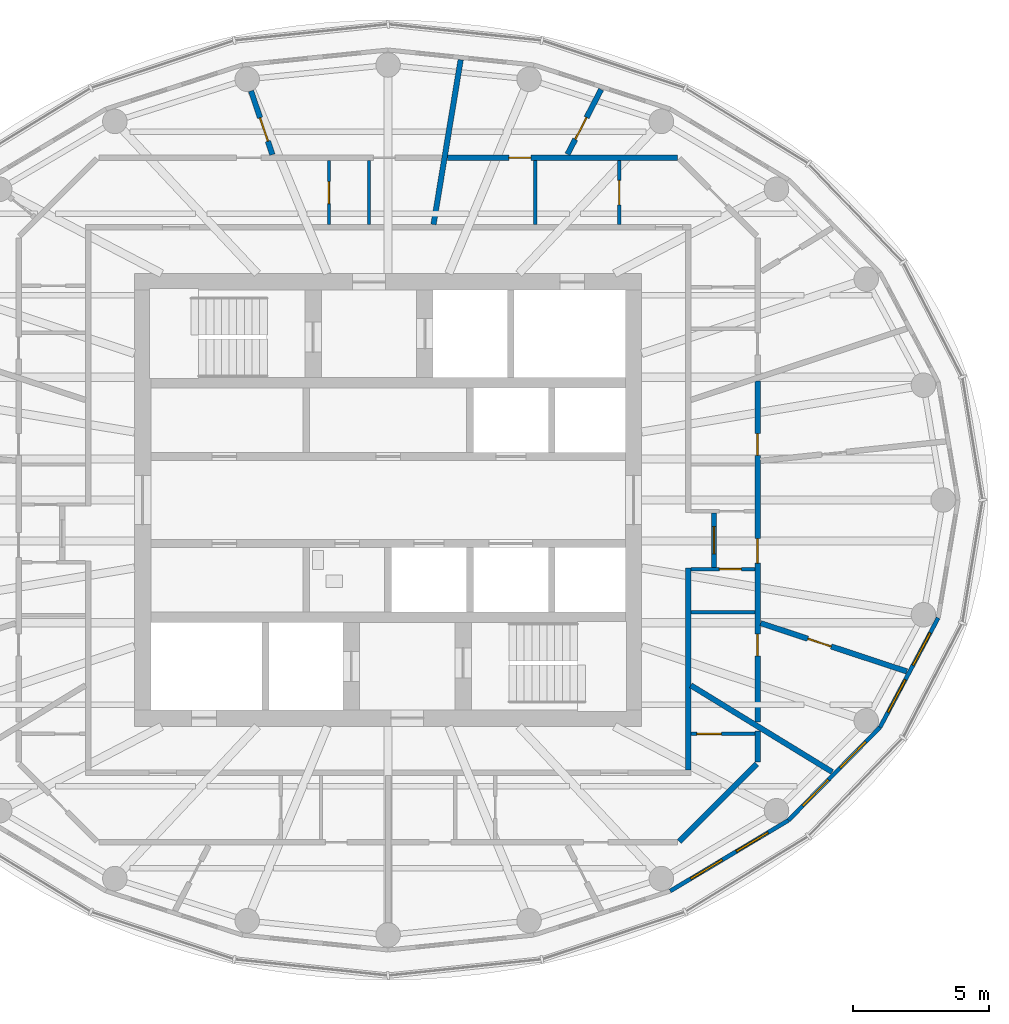
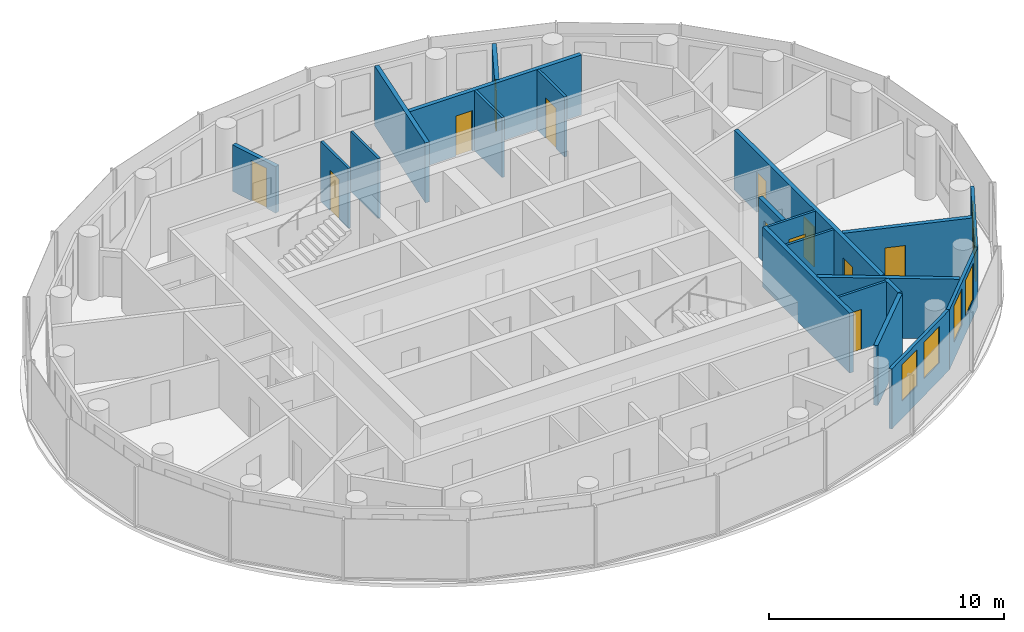
# One storey, part 8 of 12: 21 walls, 12 doors, 6 windows, 18 openings.
"""IFC4 building model written with IfcOpenShell, lengths in metres."""

from ifc_helpers import new_model, si_unit, direction, frame, frame_2d, origin, place, context, subcontext, project, spatial, rectangle, extrude, material, layer, layer_set, type_object, element, fill, save


model = new_model("IFC4")

# Units and contexts
model_context = context("Model", 3, precision=1e-05, world=origin(), true_north=direction((0.0, 1.0)))
body_context = subcontext(model_context, "Body", "Model", "MODEL_VIEW")
ifc_project = project(units=[si_unit("LENGTHUNIT", "METRE"), si_unit("AREAUNIT", "SQUARE_METRE"), si_unit("VOLUMEUNIT", "CUBIC_METRE"), si_unit("PLANEANGLEUNIT", "RADIAN"), si_unit("MASSUNIT", "GRAM", prefix="KILO")], contexts=[model_context])

# Site, building, storey
site_placement = place(None, origin())
site = spatial("IfcSite", under=ifc_project, at=site_placement, CompositionType="ELEMENT")
building_placement = place(site_placement, origin())
building = spatial("IfcBuilding", under=site, at=building_placement, Name="Hankou Lantern Tower", CompositionType="ELEMENT")
storey_placement = place(building_placement, frame((0.0, 0.0, 216.0)))
storey = spatial("IfcBuildingStorey", under=building, at=storey_placement, Name="L58", CompositionType="ELEMENT", Elevation=216.0)

# Wall, openings, windows
ifc_material_1 = material(Name="Aluminium spandrel panel on steel studs", Category="steel")
ifc_layer_1 = layer(ifc_material_1, 0.14990234375)
ifc_layer_set_1 = layer_set([ifc_layer_1], Name="Aluminium spandrel panel on steel studs")
wall_type_1 = type_object("IfcWallType", Name="EW1 INNER SKIN WALL 150", PredefinedType="ELEMENTEDWALL", material=ifc_layer_set_1)
wall_1_placement = place(storey_placement, frame((10.346435546875, -14.33642578125, 0.0), z_axis=(0.0, 0.0, 1.0), x_axis=(0.85822150553, 0.513279502265, 0.0)))
wall_1 = element("IfcWall", 1, at=wall_1_placement, inside=storey, type_object=wall_type_1, Name="Inner skin R21-R22 L58", PredefinedType="ELEMENTEDWALL", context=body_context, shape_type="SweptSolid", body=[
    extrude(rectangle(XDim=5.050048828125, YDim=0.14990234375, at=frame_2d((2.52490234375, 0.0))), origin(), (0.0, 0.0, 1.0), 3.1201171875),
])
opening_1_placement = place(wall_1_placement, frame((0.875, 0.0, 0.89990234375)))
opening_1 = element("IfcOpeningElement", 2, at=opening_1_placement, cuts=wall_1, Name="Opening W4", PredefinedType="OPENING", context=body_context, shape_type="SweptSolid", body=[
    extrude(rectangle(XDim=1.35009765625, YDim=1.89990234375, at=frame_2d((0.675048828125, 0.949951171875))), frame((0.0, 0.0849609375, 0.0), z_axis=(0.0, -1.0, 0.0), x_axis=(1.0, 0.0, 0.0)), (0.0, 0.0, 1.0), 0.169921875),
])
opening_2_placement = place(wall_1_placement, frame((2.824951171875, 0.0, 0.89990234375)))
opening_2 = element("IfcOpeningElement", 3, at=opening_2_placement, cuts=wall_1, Name="Opening W4", PredefinedType="OPENING", context=body_context, shape_type="SweptSolid", body=[
    extrude(rectangle(XDim=1.35009765625, YDim=1.89990234375, at=frame_2d((0.675048828125, 0.949951171875))), frame((0.0, 0.0849609375, 0.0), z_axis=(0.0, -1.0, 0.0), x_axis=(1.0, 0.0, 0.0)), (0.0, 0.0, 1.0), 0.169921875),
])
ifc_material_2 = material(Name="Aluminium framed double glazed window", Category="aluminium")
window_type = type_object("IfcWindowType", Name="W4 SUITE WINDOW 1350X1900", PartitioningType="DOUBLE_PANEL_VERTICAL", PredefinedType="WINDOW", material=ifc_material_2)
window_1_placement = place(opening_1_placement, origin())
window_1 = element("IfcWindow", 4, at=window_1_placement, inside=storey, type_object=window_type, Name="Window R21.1 L58", OverallHeight=1.89990234375, OverallWidth=1.35009765625, PartitioningType="SINGLE_PANEL", PredefinedType="WINDOW", context=body_context, shape_type="SweptSolid", body=[
    extrude(rectangle(XDim=1.35009765625, YDim=1.89990234375, at=frame_2d((0.675048828125, 0.949951171875))), frame((0.0, 0.030029296875, 0.0), z_axis=(0.0, -1.0, 0.0), x_axis=(1.0, 0.0, 0.0)), (0.0, 0.0, 1.0), 0.06005859375),
])
fill(opening_1, window_1)
window_2_placement = place(opening_2_placement, origin())
window_2 = element("IfcWindow", 5, at=window_2_placement, inside=storey, type_object=window_type, Name="Window R21.2 L58", OverallHeight=1.89990234375, OverallWidth=1.35009765625, PartitioningType="SINGLE_PANEL", PredefinedType="WINDOW", context=body_context, shape_type="SweptSolid", body=[
    extrude(rectangle(XDim=1.35009765625, YDim=1.89990234375, at=frame_2d((0.675048828125, 0.949951171875))), frame((0.0, 0.030029296875, 0.0), z_axis=(0.0, -1.0, 0.0), x_axis=(1.0, 0.0, 0.0)), (0.0, 0.0, 1.0), 0.06005859375),
])
fill(opening_2, window_2)

wall_2_placement = place(storey_placement, frame((14.680419921875, -11.744384765625, 0.0), z_axis=(0.0, 0.0, 1.0), x_axis=(0.701527379618, 0.712642501993, 0.0)))
wall_2 = element("IfcWall", 6, at=wall_2_placement, inside=storey, type_object=wall_type_1, Name="Inner skin R22-R23 L58", PredefinedType="ELEMENTEDWALL", context=body_context, shape_type="SweptSolid", body=[
    extrude(rectangle(XDim=4.788330078125, YDim=0.14990234375, at=frame_2d((2.39404296875, 0.0))), origin(), (0.0, 0.0, 1.0), 3.1201171875),
])
opening_3_placement = place(wall_2_placement, frame((0.744140625, 0.0, 0.89990234375)))
opening_3 = element("IfcOpeningElement", 7, at=opening_3_placement, cuts=wall_2, Name="Opening W4", PredefinedType="OPENING", context=body_context, shape_type="SweptSolid", body=[
    extrude(rectangle(XDim=1.35009765625, YDim=1.89990234375, at=frame_2d((0.675048828125, 0.949951171875))), frame((0.0, 0.0849609375, 0.0), z_axis=(0.0, -1.0, 0.0), x_axis=(1.0, 0.0, 0.0)), (0.0, 0.0, 1.0), 0.169921875),
])
opening_4_placement = place(wall_2_placement, frame((2.694091796875, 0.0, 0.89990234375)))
opening_4 = element("IfcOpeningElement", 8, at=opening_4_placement, cuts=wall_2, Name="Opening W4", PredefinedType="OPENING", context=body_context, shape_type="SweptSolid", body=[
    extrude(rectangle(XDim=1.35009765625, YDim=1.89990234375, at=frame_2d((0.675048828125, 0.949951171875))), frame((0.0, 0.0849609375, 0.0), z_axis=(0.0, -1.0, 0.0), x_axis=(1.0, 0.0, 0.0)), (0.0, 0.0, 1.0), 0.169921875),
])
window_3_placement = place(opening_3_placement, origin())
window_3 = element("IfcWindow", 9, at=window_3_placement, inside=storey, type_object=window_type, Name="Window R22.1 L58", OverallHeight=1.89990234375, OverallWidth=1.35009765625, PartitioningType="SINGLE_PANEL", PredefinedType="WINDOW", context=body_context, shape_type="SweptSolid", body=[
    extrude(rectangle(XDim=1.35009765625, YDim=1.89990234375, at=frame_2d((0.675048828125, 0.949951171875))), frame((0.0, 0.030029296875, 0.0), z_axis=(0.0, -1.0, 0.0), x_axis=(1.0, 0.0, 0.0)), (0.0, 0.0, 1.0), 0.06005859375),
])
fill(opening_3, window_3)
window_4_placement = place(opening_4_placement, origin())
window_4 = element("IfcWindow", 10, at=window_4_placement, inside=storey, type_object=window_type, Name="Window R22.2 L58", OverallHeight=1.89990234375, OverallWidth=1.35009765625, PartitioningType="SINGLE_PANEL", PredefinedType="WINDOW", context=body_context, shape_type="SweptSolid", body=[
    extrude(rectangle(XDim=1.35009765625, YDim=1.89990234375, at=frame_2d((0.675048828125, 0.949951171875))), frame((0.0, 0.030029296875, 0.0), z_axis=(0.0, -1.0, 0.0), x_axis=(1.0, 0.0, 0.0)), (0.0, 0.0, 1.0), 0.06005859375),
])
fill(opening_4, window_4)

wall_3_placement = place(storey_placement, frame((18.03955078125, -8.33203125, 0.0), z_axis=(0.0, 0.0, 1.0), x_axis=(0.469256152955, 0.883062094597, 0.0)))
wall_3 = element("IfcWall", 11, at=wall_3_placement, inside=storey, type_object=wall_type_1, Name="Inner skin R23-R24 L58", PredefinedType="ELEMENTEDWALL", context=body_context, shape_type="SweptSolid", body=[
    extrude(rectangle(XDim=4.539306640625, YDim=0.14990234375, at=frame_2d((2.26953125, 0.0))), origin(), (0.0, 0.0, 1.0), 3.1201171875),
])
opening_5_placement = place(wall_3_placement, frame((0.61962890625, 0.0, 0.89990234375)))
opening_5 = element("IfcOpeningElement", 12, at=opening_5_placement, cuts=wall_3, Name="Opening W4", PredefinedType="OPENING", context=body_context, shape_type="SweptSolid", body=[
    extrude(rectangle(XDim=1.35009765625, YDim=1.89990234375, at=frame_2d((0.675048828125, 0.949951171875))), frame((0.0, 0.0849609375, 0.0), z_axis=(0.0, -1.0, 0.0), x_axis=(1.0, 0.0, 0.0)), (0.0, 0.0, 1.0), 0.169921875),
])
opening_6_placement = place(wall_3_placement, frame((2.569580078125, 0.0, 0.89990234375)))
opening_6 = element("IfcOpeningElement", 13, at=opening_6_placement, cuts=wall_3, Name="Opening W4", PredefinedType="OPENING", context=body_context, shape_type="SweptSolid", body=[
    extrude(rectangle(XDim=1.35009765625, YDim=1.89990234375, at=frame_2d((0.675048828125, 0.949951171875))), frame((0.0, 0.0849609375, 0.0), z_axis=(0.0, -1.0, 0.0), x_axis=(1.0, 0.0, 0.0)), (0.0, 0.0, 1.0), 0.169921875),
])
window_5_placement = place(opening_5_placement, origin())
window_5 = element("IfcWindow", 14, at=window_5_placement, inside=storey, type_object=window_type, Name="Window R23.1 L58", OverallHeight=1.89990234375, OverallWidth=1.35009765625, PartitioningType="SINGLE_PANEL", PredefinedType="WINDOW", context=body_context, shape_type="SweptSolid", body=[
    extrude(rectangle(XDim=1.35009765625, YDim=1.89990234375, at=frame_2d((0.675048828125, 0.949951171875))), frame((0.0, 0.030029296875, 0.0), z_axis=(0.0, -1.0, 0.0), x_axis=(1.0, 0.0, 0.0)), (0.0, 0.0, 1.0), 0.06005859375),
])
fill(opening_5, window_5)
window_6_placement = place(opening_6_placement, origin())
window_6 = element("IfcWindow", 15, at=window_6_placement, inside=storey, type_object=window_type, Name="Window R23.2 L58", OverallHeight=1.89990234375, OverallWidth=1.35009765625, PartitioningType="SINGLE_PANEL", PredefinedType="WINDOW", context=body_context, shape_type="SweptSolid", body=[
    extrude(rectangle(XDim=1.35009765625, YDim=1.89990234375, at=frame_2d((0.675048828125, 0.949951171875))), frame((0.0, 0.030029296875, 0.0), z_axis=(0.0, -1.0, 0.0), x_axis=(1.0, 0.0, 0.0)), (0.0, 0.0, 1.0), 0.06005859375),
])
fill(opening_6, window_6)

# Walls
ifc_material_3 = material(Name="Masonry lightweight concrete block", Category="masonry")
ifc_layer_2 = layer(ifc_material_3, 0.199951171875)
ifc_layer_set_2 = layer_set([ifc_layer_2], Name="Masonry lightweight concrete block")
wall_type_2 = type_object("IfcWallType", Name="IW1 GUEST ROOM PARTY WALL 200", PredefinedType="PARTITIONING", material=ifc_layer_set_2)
wall_4_placement = place(storey_placement, frame((1.665771484375, 10.10009765625, 0.0), z_axis=(0.0, 0.0, 1.0), x_axis=(0.162710847913, 0.986673796131, 0.0)))
element("IfcWall", 16, at=wall_4_placement, inside=storey, type_object=wall_type_2, Name="Party wall R06-R07", PredefinedType="PARTITIONING", context=body_context, shape_type="SweptSolid", body=[
    extrude(rectangle(XDim=6.121826171875, YDim=0.199951171875, at=frame_2d((3.06103515625, 0.0))), origin(), (0.0, 0.0, 1.0), 3.1201171875),
])
wall_5_placement = place(storey_placement, frame((11.10009765625, -6.79736328125, 0.0), z_axis=(0.0, 0.0, 1.0), x_axis=(0.852799818179, -0.522237943963, 0.0)))
element("IfcWall", 17, at=wall_5_placement, inside=storey, type_object=wall_type_2, Name="Party wall R22-R23", PredefinedType="PARTITIONING", context=body_context, shape_type="SweptSolid", body=[
    extrude(rectangle(XDim=6.076904296875, YDim=0.199951171875, at=frame_2d((3.03857421875, 0.0))), origin(), (0.0, 0.0, 1.0), 3.1201171875),
])
ifc_material_4 = material(Name="Masonry lightweight concrete block", Category="masonry")
ifc_layer_3 = layer(ifc_material_4, 0.199951171875)
ifc_layer_set_3 = layer_set([ifc_layer_3], Name="Masonry lightweight concrete block")
wall_type_3 = type_object("IfcWallType", Name="IW2 CORRIDOR WALL 200", PredefinedType="PARTITIONING", material=ifc_layer_set_3)
wall_6_placement = place(storey_placement, frame((11.0, -9.89990234375, 0.0), z_axis=(0.0, 0.0, 1.0), x_axis=(0.0, 1.0, 0.0)))
element("IfcWall", 18, at=wall_6_placement, inside=storey, type_object=wall_type_3, Name="Corridor wall east", PredefinedType="PARTITIONING", context=body_context, shape_type="SweptSolid", body=[
    extrude(rectangle(XDim=7.41552734375, YDim=0.199951171875, at=frame_2d((3.707763671875, 0.0))), origin(), (0.0, 0.0, 1.0), 3.1201171875),
])

# Wall, opening, door
wall_7_placement = place(storey_placement, frame((11.949951171875, -2.474365234375, 0.0), z_axis=(0.0, 0.0, 1.0), x_axis=(0.0, 1.0, 0.0)))
wall_7 = element("IfcWall", 19, at=wall_7_placement, inside=storey, type_object=wall_type_3, Name="Suite entrance recess wall 5806", PredefinedType="PARTITIONING", context=body_context, shape_type="SweptSolid", body=[
    extrude(rectangle(XDim=2.0, YDim=0.199951171875, at=frame_2d((1.0, 0.0))), origin(), (0.0, 0.0, 1.0), 3.1201171875),
])
opening_7_placement = place(wall_7_placement, frame((0.5, 0.0, 0.0)))
opening_7 = element("IfcOpeningElement", 20, at=opening_7_placement, cuts=wall_7, Name="Opening D2", PredefinedType="OPENING", context=body_context, shape_type="SweptSolid", body=[
    extrude(rectangle(XDim=1.0, YDim=2.199951171875, at=frame_2d((0.5, 1.10009765625))), frame((0.0, 0.10986328125, 0.0), z_axis=(0.0, -1.0, 0.0), x_axis=(1.0, 0.0, 0.0)), (0.0, 0.0, 1.0), 0.219970703125),
])
ifc_material_5 = material(Name="Steel door leaf", Category="steel")
door_type_1 = type_object("IfcDoorType", Name="D2 SUITE DOOR 1000X2200", OperationType="SINGLE_SWING_LEFT", PredefinedType="DOOR", material=ifc_material_5)
door_1_placement = place(opening_7_placement, origin())
door_1 = element("IfcDoor", 21, at=door_1_placement, inside=storey, type_object=door_type_1, Name="Suite door 5806", OperationType="SINGLE_SWING_RIGHT", OverallHeight=2.199951171875, OverallWidth=1.0, PredefinedType="DOOR", context=body_context, shape_type="SweptSolid", body=[
    extrude(rectangle(XDim=1.0, YDim=2.199951171875, at=frame_2d((0.5, 1.10009765625))), frame((0.0, 0.02490234375, 0.0), z_axis=(0.0, -1.0, 0.0), x_axis=(1.0, 0.0, 0.0)), (0.0, 0.0, 1.0), 0.050048828125),
])
fill(opening_7, door_1)

ifc_material_6 = material(Name="Masonry lightweight concrete block", Category="masonry")
ifc_layer_4 = layer(ifc_material_6, 0.1201171875)
ifc_layer_set_4 = layer_set([ifc_layer_4], Name="Masonry lightweight concrete block")
wall_type_4 = type_object("IfcWallType", Name="IW3 BATHROOM WALL 120", PredefinedType="PARTITIONING", material=ifc_layer_set_4)
wall_8_placement = place(storey_placement, frame((8.474853515625, 10.10009765625, 0.0), z_axis=(0.0, 0.0, 1.0), x_axis=(0.0, 1.0, 0.0)))
wall_8 = element("IfcWall", 22, at=wall_8_placement, inside=storey, type_object=wall_type_4, Name="Box wall 5801 3", PredefinedType="PARTITIONING", context=body_context, shape_type="SweptSolid", body=[
    extrude(rectangle(XDim=2.349853515625, YDim=0.1201171875, at=frame_2d((1.1748046875, 0.0))), origin(), (0.0, 0.0, 1.0), 3.1201171875),
])
opening_8_placement = place(wall_8_placement, frame((0.719970703125, 0.0, 0.0)))
opening_8 = element("IfcOpeningElement", 23, at=opening_8_placement, cuts=wall_8, Name="Opening D27", PredefinedType="OPENING", context=body_context, shape_type="SweptSolid", body=[
    extrude(rectangle(XDim=0.89990234375, YDim=2.10009765625, at=frame_2d((0.449951171875, 1.050048828125))), frame((0.0, 0.070068359375, 0.0), z_axis=(0.0, -1.0, 0.0), x_axis=(1.0, 0.0, 0.0)), (0.0, 0.0, 1.0), 0.14013671875),
])
ifc_material_7 = material(Name="Timber door leaf", Category="wood")
door_type_2 = type_object("IfcDoorType", Name="D27 INTERNAL DOOR 900X2100", OperationType="SINGLE_SWING_LEFT", PredefinedType="DOOR", material=ifc_material_7)
door_2_placement = place(opening_8_placement, origin())
door_2 = element("IfcDoor", 24, at=door_2_placement, inside=storey, type_object=door_type_2, Name="Family suite 5801 walk-in wardrobe door", OperationType="SINGLE_SWING_LEFT", OverallHeight=2.10009765625, OverallWidth=0.89990234375, PredefinedType="DOOR", context=body_context, shape_type="SweptSolid", body=[
    extrude(rectangle(XDim=0.89990234375, YDim=2.10009765625, at=frame_2d((0.449951171875, 1.050048828125))), frame((0.0, 0.02490234375, 0.0), z_axis=(0.0, -1.0, 0.0), x_axis=(1.0, 0.0, 0.0)), (0.0, 0.0, 1.0), 0.050048828125),
])
fill(opening_8, door_2)

# Walls
for number, where, z_axis, x_axis, name in (
    (25, (5.392822265625, 10.10009765625, 0.0), (0.0, 0.0, 1.0), (0.0, 1.0, 0.0), "Box wall 5801 4"),
    (26, (-0.700439453125, 10.10009765625, 0.0), (0.0, 0.0, 1.0), (0.0, 1.0, 0.0), "Box wall 5802 1"),
):
    element("IfcWall", number, at=place(storey_placement, frame(where, z_axis=z_axis, x_axis=x_axis)), inside=storey, type_object=wall_type_4, Name=name, PredefinedType="PARTITIONING", context=body_context, shape_type="SweptSolid", body=[
        extrude(rectangle(XDim=2.349853515625, YDim=0.1201171875, at=frame_2d((1.1748046875, 0.0))), origin(), (0.0, 0.0, 1.0), 3.1201171875),
    ])

# Wall, opening, door
wall_9_placement = place(storey_placement, frame((-2.17041015625, 10.10009765625, 0.0), z_axis=(0.0, 0.0, 1.0), x_axis=(0.0, 1.0, 0.0)))
wall_9 = element("IfcWall", 27, at=wall_9_placement, inside=storey, type_object=wall_type_4, Name="Box wall 5802 2", PredefinedType="PARTITIONING", context=body_context, shape_type="SweptSolid", body=[
    extrude(rectangle(XDim=2.349853515625, YDim=0.1201171875, at=frame_2d((1.1748046875, 0.0))), origin(), (0.0, 0.0, 1.0), 3.1201171875),
])
opening_9_placement = place(wall_9_placement, frame((0.77001953125, 0.0, 0.0)))
opening_9 = element("IfcOpeningElement", 28, at=opening_9_placement, cuts=wall_9, Name="Opening D3", PredefinedType="OPENING", context=body_context, shape_type="SweptSolid", body=[
    extrude(rectangle(XDim=0.800048828125, YDim=2.10009765625, at=frame_2d((0.39990234375, 1.050048828125))), frame((0.0, 0.070068359375, 0.0), z_axis=(0.0, -1.0, 0.0), x_axis=(1.0, 0.0, 0.0)), (0.0, 0.0, 1.0), 0.14013671875),
])
ifc_material_8 = material(Name="Timber door leaf", Category="wood")
door_type_3 = type_object("IfcDoorType", Name="D3 BATHROOM DOOR 800X2100", OperationType="SINGLE_SWING_LEFT", PredefinedType="DOOR", material=ifc_material_8)
door_3_placement = place(opening_9_placement, origin())
door_3 = element("IfcDoor", 29, at=door_3_placement, inside=storey, type_object=door_type_3, Name="Family suite 5802 guest WC door", OperationType="SINGLE_SWING_LEFT", OverallHeight=2.10009765625, OverallWidth=0.800048828125, PredefinedType="DOOR", context=body_context, shape_type="SweptSolid", body=[
    extrude(rectangle(XDim=0.800048828125, YDim=2.10009765625, at=frame_2d((0.39990234375, 1.050048828125))), frame((0.0, 0.02490234375, 0.0), z_axis=(0.0, -1.0, 0.0), x_axis=(1.0, 0.0, 0.0)), (0.0, 0.0, 1.0), 0.050048828125),
])
fill(opening_9, door_3)

wall_10_placement = place(storey_placement, frame((11.10009765625, -8.57568359375, 0.0), z_axis=(0.0, 0.0, 1.0), x_axis=(1.0, 0.0, 0.0)))
wall_10 = element("IfcWall", 30, at=wall_10_placement, inside=storey, type_object=wall_type_4, Name="Box wall 5805 3", PredefinedType="PARTITIONING", context=body_context, shape_type="SweptSolid", body=[
    extrude(rectangle(XDim=2.349853515625, YDim=0.1201171875, at=frame_2d((1.1748046875, 0.0))), origin(), (0.0, 0.0, 1.0), 3.1201171875),
])
opening_10_placement = place(wall_10_placement, frame((0.219970703125, 0.0, 0.0)))
opening_10 = element("IfcOpeningElement", 31, at=opening_10_placement, cuts=wall_10, Name="Opening D27", PredefinedType="OPENING", context=body_context, shape_type="SweptSolid", body=[
    extrude(rectangle(XDim=0.89990234375, YDim=2.10009765625, at=frame_2d((0.449951171875, 1.050048828125))), frame((0.0, 0.070068359375, 0.0), z_axis=(0.0, -1.0, 0.0), x_axis=(1.0, 0.0, 0.0)), (0.0, 0.0, 1.0), 0.14013671875),
])
door_4_placement = place(opening_10_placement, origin())
door_4 = element("IfcDoor", 32, at=door_4_placement, inside=storey, type_object=door_type_2, Name="Suite 5805 walk-in wardrobe door", OperationType="SINGLE_SWING_LEFT", OverallHeight=2.10009765625, OverallWidth=0.89990234375, PredefinedType="DOOR", context=body_context, shape_type="SweptSolid", body=[
    extrude(rectangle(XDim=0.89990234375, YDim=2.10009765625, at=frame_2d((0.449951171875, 1.050048828125))), frame((0.0, 0.02490234375, 0.0), z_axis=(0.0, -1.0, 0.0), x_axis=(1.0, 0.0, 0.0)), (0.0, 0.0, 1.0), 0.050048828125),
])
fill(opening_10, door_4)

# Wall
wall_11_placement = place(storey_placement, frame((11.10009765625, -4.115234375, 0.0), z_axis=(0.0, 0.0, 1.0), x_axis=(1.0, 0.0, 0.0)))
element("IfcWall", 33, at=wall_11_placement, inside=storey, type_object=wall_type_4, Name="Box wall 5806 1", PredefinedType="PARTITIONING", context=body_context, shape_type="SweptSolid", body=[
    extrude(rectangle(XDim=2.349853515625, YDim=0.1201171875, at=frame_2d((1.1748046875, 0.0))), origin(), (0.0, 0.0, 1.0), 3.1201171875),
])

# Wall, opening, door
wall_12_placement = place(storey_placement, frame((11.10009765625, -2.534423828125, 0.0), z_axis=(0.0, 0.0, 1.0), x_axis=(1.0, 0.0, 0.0)))
wall_12 = element("IfcWall", 34, at=wall_12_placement, inside=storey, type_object=wall_type_4, Name="Box wall 5806 2", PredefinedType="PARTITIONING", context=body_context, shape_type="SweptSolid", body=[
    extrude(rectangle(XDim=2.349853515625, YDim=0.1201171875, at=frame_2d((1.1748046875, 0.0))), origin(), (0.0, 0.0, 1.0), 3.1201171875),
])
opening_11_placement = place(wall_12_placement, frame((1.050048828125, 0.0, 0.0)))
opening_11 = element("IfcOpeningElement", 35, at=opening_11_placement, cuts=wall_12, Name="Opening D3", PredefinedType="OPENING", context=body_context, shape_type="SweptSolid", body=[
    extrude(rectangle(XDim=0.800048828125, YDim=2.10009765625, at=frame_2d((0.39990234375, 1.050048828125))), frame((0.0, 0.070068359375, 0.0), z_axis=(0.0, -1.0, 0.0), x_axis=(1.0, 0.0, 0.0)), (0.0, 0.0, 1.0), 0.14013671875),
])
door_5_placement = place(opening_11_placement, origin())
door_5 = element("IfcDoor", 36, at=door_5_placement, inside=storey, type_object=door_type_3, Name="Family suite 5806 guest WC door", OperationType="SINGLE_SWING_LEFT", OverallHeight=2.10009765625, OverallWidth=0.800048828125, PredefinedType="DOOR", context=body_context, shape_type="SweptSolid", body=[
    extrude(rectangle(XDim=0.800048828125, YDim=2.10009765625, at=frame_2d((0.39990234375, 1.050048828125))), frame((0.0, 0.02490234375, 0.0), z_axis=(0.0, -1.0, 0.0), x_axis=(1.0, 0.0, 0.0)), (0.0, 0.0, 1.0), 0.050048828125),
])
fill(opening_11, door_5)

ifc_material_9 = material(Name="Masonry lightweight concrete block", Category="masonry")
ifc_layer_5 = layer(ifc_material_9, 0.199951171875)
ifc_layer_set_5 = layer_set([ifc_layer_5], Name="Masonry lightweight concrete block")
wall_type_5 = type_object("IfcWallType", Name="IW6 SUITE PARTITION 200", PredefinedType="PARTITIONING", material=ifc_layer_set_5)
wall_13_placement = place(storey_placement, frame((10.608642578125, 12.550048828125, 0.0), z_axis=(0.0, 0.0, 1.0), x_axis=(-1.0, 0.0, 0.0)))
wall_13 = element("IfcWall", 37, at=wall_13_placement, inside=storey, type_object=wall_type_5, Name="Suite foyer wall 5801", PredefinedType="PARTITIONING", context=body_context, shape_type="SweptSolid", body=[
    extrude(rectangle(XDim=8.4365234375, YDim=0.199951171875, at=frame_2d((4.21826171875, 0.0))), origin(), (0.0, 0.0, 1.0), 3.1201171875),
])
opening_12_placement = place(wall_13_placement, frame((5.375732421875, 0.0, 0.0)))
opening_12 = element("IfcOpeningElement", 38, at=opening_12_placement, cuts=wall_13, Name="Opening D3", PredefinedType="OPENING", context=body_context, shape_type="SweptSolid", body=[
    extrude(rectangle(XDim=0.800048828125, YDim=2.10009765625, at=frame_2d((0.39990234375, 1.050048828125))), frame((0.0, 0.10986328125, 0.0), z_axis=(0.0, -1.0, 0.0), x_axis=(1.0, 0.0, 0.0)), (0.0, 0.0, 1.0), 0.219970703125),
])
door_6_placement = place(opening_12_placement, origin())
door_6 = element("IfcDoor", 39, at=door_6_placement, inside=storey, type_object=door_type_3, Name="Family suite 5801 second bathroom door", OperationType="SINGLE_SWING_LEFT", OverallHeight=2.10009765625, OverallWidth=0.800048828125, PredefinedType="DOOR", context=body_context, shape_type="SweptSolid", body=[
    extrude(rectangle(XDim=0.800048828125, YDim=2.10009765625, at=frame_2d((0.39990234375, 1.050048828125))), frame((0.0, 0.02490234375, 0.0), z_axis=(0.0, -1.0, 0.0), x_axis=(1.0, 0.0, 0.0)), (0.0, 0.0, 1.0), 0.050048828125),
])
fill(opening_12, door_6)

wall_14_placement = place(storey_placement, frame((6.578125, 12.676513671875, 0.0), z_axis=(0.0, 0.0, 1.0), x_axis=(0.460620531465, 0.887597164255, 0.0)))
wall_14 = element("IfcWall", 40, at=wall_14_placement, inside=storey, type_object=wall_type_5, Name="Suite partition R05-R06", PredefinedType="PARTITIONING", context=body_context, shape_type="SweptSolid", body=[
    extrude(rectangle(XDim=2.677734375, YDim=0.199951171875, at=frame_2d((1.3388671875, 0.0))), origin(), (0.0, 0.0, 1.0), 3.1201171875),
])
opening_13_placement = place(wall_14_placement, frame((0.6201171875, 0.0, 0.0)))
opening_13 = element("IfcOpeningElement", 41, at=opening_13_placement, cuts=wall_14, Name="Opening D27", PredefinedType="OPENING", context=body_context, shape_type="SweptSolid", body=[
    extrude(rectangle(XDim=0.89990234375, YDim=2.10009765625, at=frame_2d((0.449951171875, 1.050048828125))), frame((0.0, 0.10986328125, 0.0), z_axis=(0.0, -1.0, 0.0), x_axis=(1.0, 0.0, 0.0)), (0.0, 0.0, 1.0), 0.219970703125),
])
door_7_placement = place(opening_13_placement, origin())
door_7 = element("IfcDoor", 42, at=door_7_placement, inside=storey, type_object=door_type_2, Name="Family suite 5801 second bedroom door", OperationType="SINGLE_SWING_LEFT", OverallHeight=2.10009765625, OverallWidth=0.89990234375, PredefinedType="DOOR", context=body_context, shape_type="SweptSolid", body=[
    extrude(rectangle(XDim=0.89990234375, YDim=2.10009765625, at=frame_2d((0.449951171875, 1.050048828125))), frame((0.0, 0.02490234375, 0.0), z_axis=(0.0, -1.0, 0.0), x_axis=(1.0, 0.0, 0.0)), (0.0, 0.0, 1.0), 0.050048828125),
])
fill(opening_13, door_7)

wall_15_placement = place(storey_placement, frame((-4.24169921875, 12.664306640625, 0.0), z_axis=(0.0, 0.0, 1.0), x_axis=(-0.317594928911, 0.948226481981, 0.0)))
wall_15 = element("IfcWall", 43, at=wall_15_placement, inside=storey, type_object=wall_type_5, Name="Suite partition R08", PredefinedType="PARTITIONING", context=body_context, shape_type="SweptSolid", body=[
    extrude(rectangle(XDim=2.463623046875, YDim=0.199951171875, at=frame_2d((1.23193359375, 0.0))), origin(), (0.0, 0.0, 1.0), 2.419921875),
])
opening_14_placement = place(wall_15_placement, frame((0.52001953125, 0.0, 0.0)))
opening_14 = element("IfcOpeningElement", 44, at=opening_14_placement, cuts=wall_15, Name="Opening D27", PredefinedType="OPENING", context=body_context, shape_type="SweptSolid", body=[
    extrude(rectangle(XDim=0.89990234375, YDim=2.10009765625, at=frame_2d((0.449951171875, 1.050048828125))), frame((0.0, 0.10986328125, 0.0), z_axis=(0.0, -1.0, 0.0), x_axis=(1.0, 0.0, 0.0)), (0.0, 0.0, 1.0), 0.219970703125),
])
door_8_placement = place(opening_14_placement, origin())
door_8 = element("IfcDoor", 45, at=door_8_placement, inside=storey, type_object=door_type_2, Name="Family suite 5802 bedroom door", OperationType="SINGLE_SWING_LEFT", OverallHeight=2.10009765625, OverallWidth=0.89990234375, PredefinedType="DOOR", context=body_context, shape_type="SweptSolid", body=[
    extrude(rectangle(XDim=0.89990234375, YDim=2.10009765625, at=frame_2d((0.449951171875, 1.050048828125))), frame((0.0, 0.02490234375, 0.0), z_axis=(0.0, -1.0, 0.0), x_axis=(1.0, 0.0, 0.0)), (0.0, 0.0, 1.0), 0.050048828125),
])
fill(opening_14, door_8)

# Walls
wall_16_placement = place(storey_placement, frame((10.67919921875, -12.520751953125, 0.0), z_axis=(0.0, 0.0, 1.0), x_axis=(0.707106781187, 0.707106781187, 0.0)))
element("IfcWall", 46, at=wall_16_placement, inside=storey, type_object=wall_type_5, Name="Suite foyer wall 5805", PredefinedType="PARTITIONING", context=body_context, shape_type="SweptSolid", body=[
    extrude(rectangle(XDim=4.0185546875, YDim=0.199951171875, at=frame_2d((2.00927734375, 0.0))), origin(), (0.0, 0.0, 1.0), 3.1201171875),
])
wall_17_placement = place(storey_placement, frame((13.550048828125, -9.608642578125, 0.0), z_axis=(0.0, 0.0, 1.0), x_axis=(0.0, 1.0, 0.0)))
element("IfcWall", 47, at=wall_17_placement, inside=storey, type_object=wall_type_5, Name="Suite foyer wall 5805", PredefinedType="PARTITIONING", context=body_context, shape_type="SweptSolid", body=[
    extrude(rectangle(XDim=1.147705078125, YDim=0.199951171875, at=frame_2d((0.57373046875, 0.0))), origin(), (0.0, 0.0, 1.0), 3.1201171875),
])

# Wall, openings, doors
wall_18_placement = place(storey_placement, frame((13.550048828125, -8.13916015625, 0.0), z_axis=(0.0, 0.0, 1.0), x_axis=(0.0, 1.0, 0.0)))
wall_18 = element("IfcWall", 48, at=wall_18_placement, inside=storey, type_object=wall_type_5, Name="Suite foyer wall 5806", PredefinedType="PARTITIONING", context=body_context, shape_type="SweptSolid", body=[
    extrude(rectangle(XDim=12.496337890625, YDim=0.199951171875, at=frame_2d((6.248046875, 0.0))), origin(), (0.0, 0.0, 1.0), 3.1201171875),
])
opening_15_placement = place(wall_18_placement, frame((2.419921875, 0.0, 0.0)))
opening_15 = element("IfcOpeningElement", 49, at=opening_15_placement, cuts=wall_18, Name="Opening D3", PredefinedType="OPENING", context=body_context, shape_type="SweptSolid", body=[
    extrude(rectangle(XDim=0.800048828125, YDim=2.10009765625, at=frame_2d((0.39990234375, 1.050048828125))), frame((0.0, 0.10986328125, 0.0), z_axis=(0.0, -1.0, 0.0), x_axis=(1.0, 0.0, 0.0)), (0.0, 0.0, 1.0), 0.219970703125),
])
opening_16_placement = place(wall_18_placement, frame((9.775634765625, 0.0, 0.0)))
opening_16 = element("IfcOpeningElement", 50, at=opening_16_placement, cuts=wall_18, Name="Opening D3", PredefinedType="OPENING", context=body_context, shape_type="SweptSolid", body=[
    extrude(rectangle(XDim=0.800048828125, YDim=2.10009765625, at=frame_2d((0.39990234375, 1.050048828125))), frame((0.0, 0.10986328125, 0.0), z_axis=(0.0, -1.0, 0.0), x_axis=(1.0, 0.0, 0.0)), (0.0, 0.0, 1.0), 0.219970703125),
])
opening_17_placement = place(wall_18_placement, frame((5.820068359375, 0.0, 0.0)))
opening_17 = element("IfcOpeningElement", 51, at=opening_17_placement, cuts=wall_18, Name="Opening D27", PredefinedType="OPENING", context=body_context, shape_type="SweptSolid", body=[
    extrude(rectangle(XDim=0.89990234375, YDim=2.10009765625, at=frame_2d((0.449951171875, 1.050048828125))), frame((0.0, 0.10986328125, 0.0), z_axis=(0.0, -1.0, 0.0), x_axis=(1.0, 0.0, 0.0)), (0.0, 0.0, 1.0), 0.219970703125),
])
door_9_placement = place(opening_17_placement, origin())
door_9 = element("IfcDoor", 52, at=door_9_placement, inside=storey, type_object=door_type_2, Name="Family suite 5806 living room door", OperationType="SINGLE_SWING_LEFT", OverallHeight=2.10009765625, OverallWidth=0.89990234375, PredefinedType="DOOR", context=body_context, shape_type="SweptSolid", body=[
    extrude(rectangle(XDim=0.89990234375, YDim=2.10009765625, at=frame_2d((0.449951171875, 1.050048828125))), frame((0.0, 0.02490234375, 0.0), z_axis=(0.0, -1.0, 0.0), x_axis=(1.0, 0.0, 0.0)), (0.0, 0.0, 1.0), 0.050048828125),
])
fill(opening_17, door_9)
door_10_placement = place(opening_15_placement, origin())
door_10 = element("IfcDoor", 53, at=door_10_placement, inside=storey, type_object=door_type_3, Name="Family suite 5806 bathroom door", OperationType="SINGLE_SWING_RIGHT", OverallHeight=2.10009765625, OverallWidth=0.800048828125, PredefinedType="DOOR", context=body_context, shape_type="SweptSolid", body=[
    extrude(rectangle(XDim=0.800048828125, YDim=2.10009765625, at=frame_2d((0.39990234375, 1.050048828125))), frame((0.0, 0.02490234375, 0.0), z_axis=(0.0, -1.0, 0.0), x_axis=(1.0, 0.0, 0.0)), (0.0, 0.0, 1.0), 0.050048828125),
])
fill(opening_15, door_10)
door_11_placement = place(opening_16_placement, origin())
door_11 = element("IfcDoor", 54, at=door_11_placement, inside=storey, type_object=door_type_3, Name="Family suite 5806 second bathroom door", OperationType="SINGLE_SWING_LEFT", OverallHeight=2.10009765625, OverallWidth=0.800048828125, PredefinedType="DOOR", context=body_context, shape_type="SweptSolid", body=[
    extrude(rectangle(XDim=0.800048828125, YDim=2.10009765625, at=frame_2d((0.39990234375, 1.050048828125))), frame((0.0, 0.02490234375, 0.0), z_axis=(0.0, -1.0, 0.0), x_axis=(1.0, 0.0, 0.0)), (0.0, 0.0, 1.0), 0.050048828125),
])
fill(opening_16, door_11)

# Wall, opening, door
wall_19_placement = place(storey_placement, frame((13.664306640625, -4.516357421875, 0.0), z_axis=(0.0, 0.0, 1.0), x_axis=(0.949481375941, -0.313823384632, 0.0)))
wall_19 = element("IfcWall", 55, at=wall_19_placement, inside=storey, type_object=wall_type_5, Name="Suite partition R23-R24", PredefinedType="PARTITIONING", context=body_context, shape_type="SweptSolid", body=[
    extrude(rectangle(XDim=5.637939453125, YDim=0.199951171875, at=frame_2d((2.81884765625, 0.0))), origin(), (0.0, 0.0, 1.0), 3.1201171875),
])
opening_18_placement = place(wall_19_placement, frame((1.820068359375, 0.0, 0.0)))
opening_18 = element("IfcOpeningElement", 56, at=opening_18_placement, cuts=wall_19, Name="Opening D27", PredefinedType="OPENING", context=body_context, shape_type="SweptSolid", body=[
    extrude(rectangle(XDim=0.89990234375, YDim=2.10009765625, at=frame_2d((0.449951171875, 1.050048828125))), frame((0.0, 0.10986328125, 0.0), z_axis=(0.0, -1.0, 0.0), x_axis=(1.0, 0.0, 0.0)), (0.0, 0.0, 1.0), 0.219970703125),
])
door_12_placement = place(opening_18_placement, origin())
door_12 = element("IfcDoor", 57, at=door_12_placement, inside=storey, type_object=door_type_2, Name="Family suite 5806 bedroom door", OperationType="SINGLE_SWING_LEFT", OverallHeight=2.10009765625, OverallWidth=0.89990234375, PredefinedType="DOOR", context=body_context, shape_type="SweptSolid", body=[
    extrude(rectangle(XDim=0.89990234375, YDim=2.10009765625, at=frame_2d((0.449951171875, 1.050048828125))), frame((0.0, 0.02490234375, 0.0), z_axis=(0.0, -1.0, 0.0), x_axis=(1.0, 0.0, 0.0)), (0.0, 0.0, 1.0), 0.050048828125),
])
fill(opening_18, door_12)

save(model, "model.ifc")
